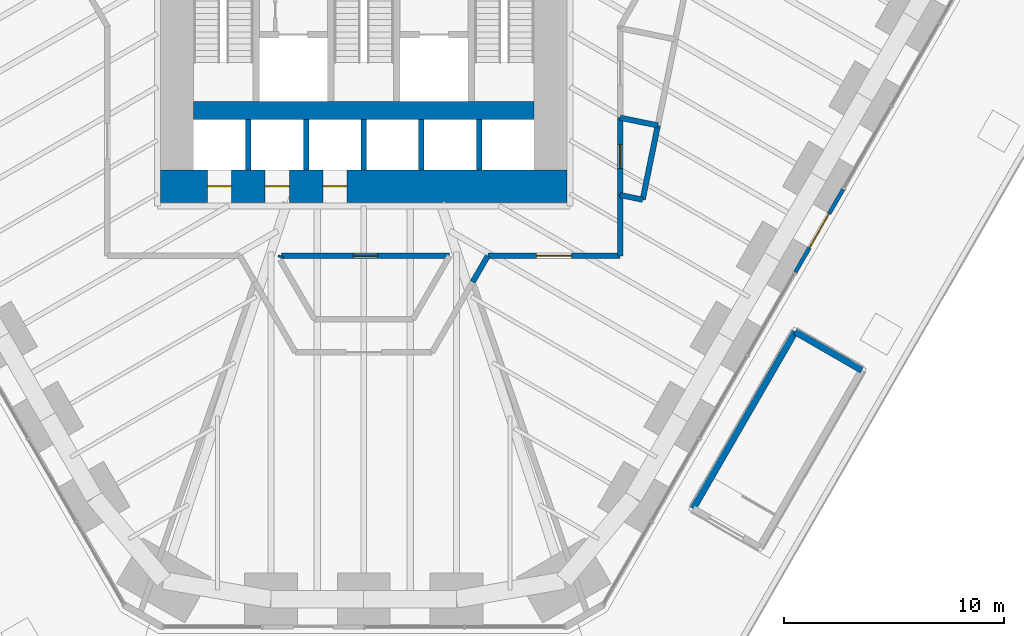
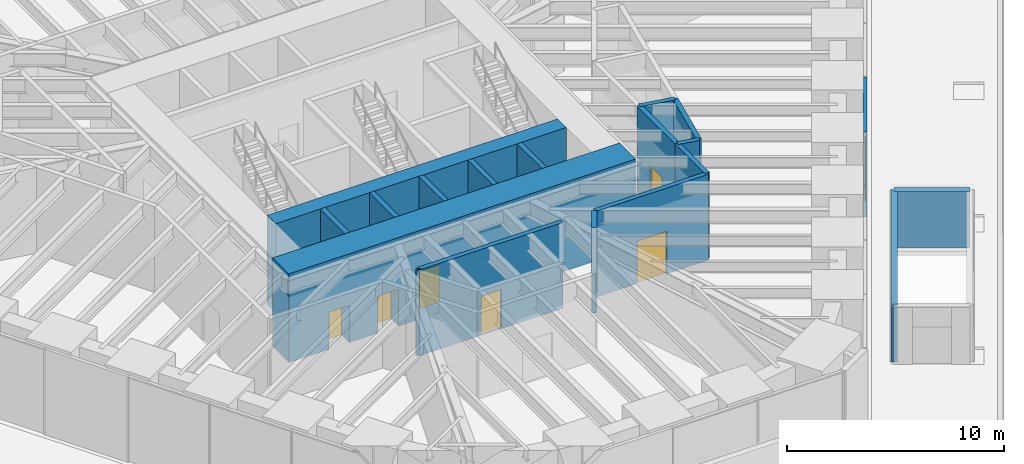
# One storey, part 11 of 20: 19 walls, 7 doors, 7 openings.
"""IFC4 building model written with IfcOpenShell, lengths in metres."""

from ifc_helpers import new_model, si_unit, direction, frame, frame_2d, origin, place, context, subcontext, project, spatial, rectangle, extrude, material, layer, layer_set, type_object, element, fill, save


model = new_model("IFC4")

# Units and contexts
model_context = context("Model", 3, precision=1e-05, world=origin(), true_north=direction((0.0, 1.0)))
body_context = subcontext(model_context, "Body", "Model", "MODEL_VIEW")
ifc_project = project(units=[si_unit("LENGTHUNIT", "METRE"), si_unit("AREAUNIT", "SQUARE_METRE"), si_unit("VOLUMEUNIT", "CUBIC_METRE"), si_unit("PLANEANGLEUNIT", "RADIAN"), si_unit("MASSUNIT", "GRAM", prefix="KILO")], contexts=[model_context])

# Site, building, storey
site_placement = place(None, origin())
site = spatial("IfcSite", under=ifc_project, at=site_placement, CompositionType="ELEMENT")
building_placement = place(site_placement, origin())
building = spatial("IfcBuilding", under=site, at=building_placement, Name="Sandreach Pilgrim Tower", CompositionType="ELEMENT")
storey_placement = place(building_placement, frame((0.0, 0.0, 18.0)))
storey = spatial("IfcBuildingStorey", under=building, at=storey_placement, Name="L03", CompositionType="ELEMENT", Elevation=18.0)

# Wall
ifc_material_1 = material(Name="Concrete 10000 psi", Category="concrete")
ifc_layer_1 = layer(ifc_material_1, 0.800048828125)
ifc_layer_set_1 = layer_set([ifc_layer_1], Name="Core mid wall 800")
wall_type_1 = type_object("IfcWallType", Name="Core mid wall 800", PredefinedType="SHEAR", material=ifc_layer_set_1)
wall_1_placement = place(storey_placement, frame((-7.75, -6.5, 0.0), z_axis=(0.0, 0.0, 1.0), x_axis=(1.0, 0.0, 0.0)))
element("IfcWall", 1, at=wall_1_placement, inside=storey, type_object=wall_type_1, Name="Core wall M L03", PredefinedType="SHEAR", context=body_context, shape_type="SweptSolid", body=[
    extrude(rectangle(XDim=15.5, YDim=0.800048828125, at=frame_2d((7.75, 0.0))), origin(), (0.0, 0.0, 1.0), 5.0),
])

# Wall, openings, doors
ifc_material_2 = material(Name="Concrete 10000 psi", Category="concrete")
ifc_layer_2 = layer(ifc_material_2, 1.5)
ifc_layer_set_2 = layer_set([ifc_layer_2], Name="Core wall 1500")
wall_type_2 = type_object("IfcWallType", Name="Core wall 1500", PredefinedType="SHEAR", material=ifc_layer_set_2)
wall_2_placement = place(storey_placement, frame((-9.25, -9.949951171875, 0.0), z_axis=(0.0, 0.0, 1.0), x_axis=(1.0, 0.0, 0.0)))
wall_2 = element("IfcWall", 2, at=wall_2_placement, inside=storey, type_object=wall_type_2, Name="Core wall S L03", PredefinedType="SHEAR", context=body_context, shape_type="SweptSolid", body=[
    extrude(rectangle(XDim=18.5, YDim=1.5, at=frame_2d((9.25, 0.0))), origin(), (0.0, 0.0, 1.0), 5.0),
])
opening_1_placement = place(wall_2_placement, frame((2.137451171875, 0.0, 0.0)))
opening_1 = element("IfcOpeningElement", 3, at=opening_1_placement, cuts=wall_2, Name="Opening LD11", PredefinedType="OPENING", context=body_context, shape_type="SweptSolid", body=[
    extrude(rectangle(XDim=1.10009765625, YDim=2.10009765625, at=frame_2d((0.550048828125, 1.050048828125))), frame((0.0, 0.75, 0.0), z_axis=(0.0, -1.0, 0.0), x_axis=(1.0, 0.0, 0.0)), (0.0, 0.0, 1.0), 1.5),
])
opening_2_placement = place(wall_2_placement, frame((4.762451171875, 0.0, 0.0)))
opening_2 = element("IfcOpeningElement", 4, at=opening_2_placement, cuts=wall_2, Name="Opening LD11", PredefinedType="OPENING", context=body_context, shape_type="SweptSolid", body=[
    extrude(rectangle(XDim=1.10009765625, YDim=2.10009765625, at=frame_2d((0.550048828125, 1.050048828125))), frame((0.0, 0.75, 0.0), z_axis=(0.0, -1.0, 0.0), x_axis=(1.0, 0.0, 0.0)), (0.0, 0.0, 1.0), 1.5),
])
opening_3_placement = place(wall_2_placement, frame((7.387451171875, 0.0, 0.0)))
opening_3 = element("IfcOpeningElement", 5, at=opening_3_placement, cuts=wall_2, Name="Opening LD11", PredefinedType="OPENING", context=body_context, shape_type="SweptSolid", body=[
    extrude(rectangle(XDim=1.10009765625, YDim=2.10009765625, at=frame_2d((0.550048828125, 1.050048828125))), frame((0.0, 0.75, 0.0), z_axis=(0.0, -1.0, 0.0), x_axis=(1.0, 0.0, 0.0)), (0.0, 0.0, 1.0), 1.5),
])
ifc_material_3 = material(Name="Steel door and frame", Category="steel")
door_type_1 = type_object("IfcDoorType", Name="Lift landing door", OperationType="DOUBLE_DOOR_SLIDING", PredefinedType="DOOR", material=ifc_material_3)
door_1_placement = place(opening_1_placement, origin())
door_1 = element("IfcDoor", 6, at=door_1_placement, inside=storey, type_object=door_type_1, Name="Lift landing door Z1A L03", OperationType="DOUBLE_DOOR_SLIDING", OverallHeight=2.10009765625, OverallWidth=1.10009765625, PredefinedType="DOOR", context=body_context, shape_type="SweptSolid", body=[
    extrude(rectangle(XDim=1.10009765625, YDim=2.10009765625, at=frame_2d((0.550048828125, 1.050048828125))), frame((0.0, 0.02490234375, 0.0), z_axis=(0.0, -1.0, 0.0), x_axis=(1.0, 0.0, 0.0)), (0.0, 0.0, 1.0), 0.050048828125),
])
fill(opening_1, door_1)
door_2_placement = place(opening_2_placement, origin())
door_2 = element("IfcDoor", 7, at=door_2_placement, inside=storey, type_object=door_type_1, Name="Lift landing door Z1B L03", OperationType="DOUBLE_DOOR_SLIDING", OverallHeight=2.10009765625, OverallWidth=1.10009765625, PredefinedType="DOOR", context=body_context, shape_type="SweptSolid", body=[
    extrude(rectangle(XDim=1.10009765625, YDim=2.10009765625, at=frame_2d((0.550048828125, 1.050048828125))), frame((0.0, 0.02490234375, 0.0), z_axis=(0.0, -1.0, 0.0), x_axis=(1.0, 0.0, 0.0)), (0.0, 0.0, 1.0), 0.050048828125),
])
fill(opening_2, door_2)
door_3_placement = place(opening_3_placement, origin())
door_3 = element("IfcDoor", 8, at=door_3_placement, inside=storey, type_object=door_type_1, Name="Lift landing door Z1C L03", OperationType="DOUBLE_DOOR_SLIDING", OverallHeight=2.10009765625, OverallWidth=1.10009765625, PredefinedType="DOOR", context=body_context, shape_type="SweptSolid", body=[
    extrude(rectangle(XDim=1.10009765625, YDim=2.10009765625, at=frame_2d((0.550048828125, 1.050048828125))), frame((0.0, 0.02490234375, 0.0), z_axis=(0.0, -1.0, 0.0), x_axis=(1.0, 0.0, 0.0)), (0.0, 0.0, 1.0), 0.050048828125),
])
fill(opening_3, door_3)

# Wall, opening, door
ifc_material_4 = material(Name="Glazed aluminium screen", Category="aluminium")
ifc_layer_3 = layer(ifc_material_4, 0.179931640625)
ifc_layer_set_3 = layer_set([ifc_layer_3], Name="Glazed entrance screen wall")
wall_type_3 = type_object("IfcWallType", Name="Glazed entrance screen wall", PredefinedType="SOLIDWALL", material=ifc_layer_set_3)
wall_3_placement = place(storey_placement, frame((21.8330078125, -10.081298828125, 0.0), z_axis=(0.0, 0.0, 1.0), x_axis=(-0.500001230415, -0.866024693403, 0.0)))
wall_3 = element("IfcWall", 9, at=wall_3_placement, inside=storey, type_object=wall_type_3, Name="Terrace screen wall L03 SE", PredefinedType="SOLIDWALL", context=body_context, shape_type="SweptSolid", body=[
    extrude(rectangle(XDim=4.37158203125, YDim=0.179931640625, at=frame_2d((2.185791015625, 0.0))), origin(), (0.0, 0.0, 1.0), 4.840087890625),
])
opening_4_placement = place(wall_3_placement, frame((1.285888671875, 0.0, 0.0)))
opening_4 = element("IfcOpeningElement", 10, at=opening_4_placement, cuts=wall_3, Name="Opening D18T-SE1", PredefinedType="OPENING", context=body_context, shape_type="SweptSolid", body=[
    extrude(rectangle(XDim=1.800048828125, YDim=2.39990234375, at=frame_2d((0.89990234375, 1.199951171875))), frame((0.0, 0.08984375, 0.0), z_axis=(0.0, -1.0, 0.0), x_axis=(1.0, 0.0, 0.0)), (0.0, 0.0, 1.0), 0.179931640625),
])
ifc_material_5 = material(Name="Aluminium and glass", Category="aluminium")
door_type_2 = type_object("IfcDoorType", Name="Terrace double door", OperationType="DOUBLE_DOOR_SINGLE_SWING", PredefinedType="DOOR", material=ifc_material_5)
door_4_placement = place(opening_4_placement, origin())
door_4 = element("IfcDoor", 11, at=door_4_placement, inside=storey, type_object=door_type_2, Name="Terrace door L03 SE1", OperationType="SINGLE_SWING_LEFT", OverallHeight=2.39990234375, OverallWidth=1.800048828125, PredefinedType="DOOR", context=body_context, shape_type="SweptSolid", body=[
    extrude(rectangle(XDim=1.800048828125, YDim=2.39990234375, at=frame_2d((0.89990234375, 1.199951171875))), frame((0.0, 0.02490234375, 0.0), z_axis=(0.0, -1.0, 0.0), x_axis=(1.0, 0.0, 0.0)), (0.0, 0.0, 1.0), 0.050048828125),
])
fill(opening_4, door_4)

# Wall
ifc_material_6 = material(Name="Acoustic gypsum board wall, double frame", Category="gypsum")
ifc_layer_4 = layer(ifc_material_6, 0.25)
ifc_layer_set_4 = layer_set([ifc_layer_4], Name="Hall partition 250")
wall_type_4 = type_object("IfcWallType", Name="Hall partition 250", PredefinedType="PARTITIONING", material=ifc_layer_set_4)
wall_4_placement = place(storey_placement, frame((-3.7783203125, -13.205078125, 0.0), z_axis=(0.0, 0.0, 1.0), x_axis=(0.316227766017, 0.948683298051, 0.0)))
element("IfcWall", 12, at=wall_4_placement, inside=storey, type_object=wall_type_4, Name="Hall partition L03-015", PredefinedType="PARTITIONING", context=body_context, shape_type="SweptSolid", body=[
    extrude(rectangle(XDim=0.089599609375, YDim=0.25, at=frame_2d((0.044921875, 0.0))), origin(), (0.0, 0.0, 1.0), 4.840087890625),
])

# Wall, opening, door
wall_5_placement = place(storey_placement, frame((-3.75, -13.1201171875, 0.0), z_axis=(0.0, 0.0, 1.0), x_axis=(1.0, 0.0, 0.0)))
wall_5 = element("IfcWall", 13, at=wall_5_placement, inside=storey, type_object=wall_type_4, Name="Hall partition L03-016", PredefinedType="PARTITIONING", context=body_context, shape_type="SweptSolid", body=[
    extrude(rectangle(XDim=7.659912109375, YDim=0.25, at=frame_2d((3.830078125, 0.0))), origin(), (0.0, 0.0, 1.0), 4.840087890625),
])
opening_5_placement = place(wall_5_placement, frame((3.280029296875, 0.0, 0.0)))
opening_5 = element("IfcOpeningElement", 14, at=opening_5_placement, cuts=wall_5, Name="Opening D11H-B3", PredefinedType="OPENING", context=body_context, shape_type="SweptSolid", body=[
    extrude(rectangle(XDim=1.10009765625, YDim=2.199951171875, at=frame_2d((0.550048828125, 1.10009765625))), frame((0.0, 0.125, 0.0), z_axis=(0.0, -1.0, 0.0), x_axis=(1.0, 0.0, 0.0)), (0.0, 0.0, 1.0), 0.25),
])
ifc_material_7 = material(Name="Steel door and frame", Category="steel")
door_type_3 = type_object("IfcDoorType", Name="Back of house door", OperationType="SINGLE_SWING_LEFT", PredefinedType="DOOR", material=ifc_material_7)
door_5_placement = place(opening_5_placement, origin())
door_5 = element("IfcDoor", 15, at=door_5_placement, inside=storey, type_object=door_type_3, Name="Door 03B3", OperationType="SINGLE_SWING_LEFT", OverallHeight=2.199951171875, OverallWidth=1.10009765625, PredefinedType="DOOR", context=body_context, shape_type="SweptSolid", body=[
    extrude(rectangle(XDim=1.10009765625, YDim=2.199951171875, at=frame_2d((0.550048828125, 1.10009765625))), frame((0.0, 0.02490234375, 0.0), z_axis=(0.0, -1.0, 0.0), x_axis=(1.0, 0.0, 0.0)), (0.0, 0.0, 1.0), 0.050048828125),
])
fill(opening_5, door_5)

# Wall
wall_6_placement = place(storey_placement, frame((4.9599609375, -14.31005859375, 0.0), z_axis=(0.0, 0.0, 1.0), x_axis=(0.501518885372, 0.865146697165, 0.0)))
element("IfcWall", 16, at=wall_6_placement, inside=storey, type_object=wall_type_4, Name="Hall partition L03-023", PredefinedType="PARTITIONING", context=body_context, shape_type="SweptSolid", body=[
    extrude(rectangle(XDim=1.375732421875, YDim=0.25, at=frame_2d((0.68798828125, 0.0))), origin(), (0.0, 0.0, 1.0), 4.840087890625),
])

# Wall, opening, door
wall_7_placement = place(storey_placement, frame((5.64990234375, -13.1201171875, 0.0), z_axis=(0.0, 0.0, 1.0), x_axis=(1.0, 0.0, 0.0)))
wall_7 = element("IfcWall", 17, at=wall_7_placement, inside=storey, type_object=wall_type_4, Name="Hall partition L03-024", PredefinedType="PARTITIONING", context=body_context, shape_type="SweptSolid", body=[
    extrude(rectangle(XDim=6.02001953125, YDim=0.25, at=frame_2d((3.010009765625, 0.0))), origin(), (0.0, 0.0, 1.0), 4.840087890625),
])
opening_6_placement = place(wall_7_placement, frame((2.2099609375, 0.0, 0.0)))
opening_6 = element("IfcOpeningElement", 18, at=opening_6_placement, cuts=wall_7, Name="Opening D16-03", PredefinedType="OPENING", context=body_context, shape_type="SweptSolid", body=[
    extrude(rectangle(XDim=1.60009765625, YDim=2.39990234375, at=frame_2d((0.800048828125, 1.199951171875))), frame((0.0, 0.125, 0.0), z_axis=(0.0, -1.0, 0.0), x_axis=(1.0, 0.0, 0.0)), (0.0, 0.0, 1.0), 0.25),
])
ifc_material_8 = material(Name="Steel door and frame", Category="steel")
door_type_4 = type_object("IfcDoorType", Name="Hall double door", OperationType="DOUBLE_DOOR_SINGLE_SWING", PredefinedType="DOOR", material=ifc_material_8)
door_6_placement = place(opening_6_placement, origin())
door_6 = element("IfcDoor", 19, at=door_6_placement, inside=storey, type_object=door_type_4, Name="Door 0303", OperationType="DOUBLE_DOOR_SINGLE_SWING", OverallHeight=2.39990234375, OverallWidth=1.60009765625, PredefinedType="DOOR", context=body_context, shape_type="SweptSolid", body=[
    extrude(rectangle(XDim=1.60009765625, YDim=2.39990234375, at=frame_2d((0.800048828125, 1.199951171875))), frame((0.0, 0.02490234375, 0.0), z_axis=(0.0, -1.0, 0.0), x_axis=(1.0, 0.0, 0.0)), (0.0, 0.0, 1.0), 0.050048828125),
])
fill(opening_6, door_6)

# Wall
wall_8_placement = place(storey_placement, frame((11.669921875, -13.1201171875, 0.0), z_axis=(0.0, 0.0, 1.0), x_axis=(0.0, 1.0, 0.0)))
element("IfcWall", 20, at=wall_8_placement, inside=storey, type_object=wall_type_4, Name="Hall partition L03-027", PredefinedType="PARTITIONING", context=body_context, shape_type="SweptSolid", body=[
    extrude(rectangle(XDim=2.77001953125, YDim=0.25, at=frame_2d((1.385009765625, 0.0))), origin(), (0.0, 0.0, 1.0), 4.840087890625),
])

# Wall, opening, door
wall_9_placement = place(storey_placement, frame((11.669921875, -10.35009765625, 0.0), z_axis=(0.0, 0.0, 1.0), x_axis=(0.0, 1.0, 0.0)))
wall_9 = element("IfcWall", 21, at=wall_9_placement, inside=storey, type_object=wall_type_4, Name="Hall partition L03-028", PredefinedType="PARTITIONING", context=body_context, shape_type="SweptSolid", body=[
    extrude(rectangle(XDim=3.52001953125, YDim=0.25, at=frame_2d((1.760009765625, 0.0))), origin(), (0.0, 0.0, 1.0), 4.840087890625),
])
opening_7_placement = place(wall_9_placement, frame((1.2099609375, 0.0, 0.0)))
opening_7 = element("IfcOpeningElement", 22, at=opening_7_placement, cuts=wall_9, Name="Opening D11H-T1", PredefinedType="OPENING", context=body_context, shape_type="SweptSolid", body=[
    extrude(rectangle(XDim=1.10009765625, YDim=2.199951171875, at=frame_2d((0.550048828125, 1.10009765625))), frame((0.0, 0.125, 0.0), z_axis=(0.0, -1.0, 0.0), x_axis=(1.0, 0.0, 0.0)), (0.0, 0.0, 1.0), 0.25),
])
door_7_placement = place(opening_7_placement, origin())
door_7 = element("IfcDoor", 23, at=door_7_placement, inside=storey, type_object=door_type_3, Name="Door 03T1", OperationType="SINGLE_SWING_LEFT", OverallHeight=2.199951171875, OverallWidth=1.10009765625, PredefinedType="DOOR", context=body_context, shape_type="SweptSolid", body=[
    extrude(rectangle(XDim=1.10009765625, YDim=2.199951171875, at=frame_2d((0.550048828125, 1.10009765625))), frame((0.0, 0.02490234375, 0.0), z_axis=(0.0, -1.0, 0.0), x_axis=(1.0, 0.0, 0.0)), (0.0, 0.0, 1.0), 0.050048828125),
])
fill(opening_7, door_7)

# Walls
wall_10_placement = place(storey_placement, frame((11.669921875, -10.35009765625, 0.0), z_axis=(0.0, 0.0, 1.0), x_axis=(0.979850463212, -0.199732495464, 0.0)))
element("IfcWall", 24, at=wall_10_placement, inside=storey, type_object=wall_type_4, Name="Hall partition L03-029", PredefinedType="PARTITIONING", context=body_context, shape_type="SweptSolid", body=[
    extrude(rectangle(XDim=1.05126953125, YDim=0.25, at=frame_2d((0.525634765625, 0.0))), origin(), (0.0, 0.0, 1.0), 4.840087890625),
])
wall_11_placement = place(storey_placement, frame((11.669921875, -6.830078125, 0.0), z_axis=(0.0, 0.0, 1.0), x_axis=(0.979933438949, -0.199324999008, 0.0)))
element("IfcWall", 25, at=wall_11_placement, inside=storey, type_object=wall_type_4, Name="Hall partition L03-031", PredefinedType="PARTITIONING", context=body_context, shape_type="SweptSolid", body=[
    extrude(rectangle(XDim=1.755126953125, YDim=0.25, at=frame_2d((0.87744140625, 0.0))), origin(), (0.0, 0.0, 1.0), 4.840087890625),
])
wall_12_placement = place(storey_placement, frame((12.699951171875, -10.56005859375, 0.0), z_axis=(0.0, 0.0, 1.0), x_axis=(0.199993288323, 0.979797267105, 0.0)))
element("IfcWall", 26, at=wall_12_placement, inside=storey, type_object=wall_type_4, Name="Hall partition L03-036", PredefinedType="PARTITIONING", context=body_context, shape_type="SweptSolid", body=[
    extrude(rectangle(XDim=3.44970703125, YDim=0.25, at=frame_2d((1.724853515625, 0.0))), origin(), (0.0, 0.0, 1.0), 4.840087890625),
])
ifc_material_9 = material(Name="Gypsum shaft wall on steel studs, two layers of shaft liner board", Category="steel")
ifc_layer_5 = layer(ifc_material_9, 0.25)
ifc_layer_set_5 = layer_set([ifc_layer_5], Name="Shaft partition 250")
wall_type_5 = type_object("IfcWallType", Name="Shaft partition 250", PredefinedType="PARTITIONING", material=ifc_layer_set_5)
for number, where, z_axis, x_axis, name in (
    (27, (-5.25, -9.199951171875, 0.0), (0.0, 0.0, 1.0), (0.0, 1.0, 0.0), "Shaft partition XS0 L03"),
    (28, (-2.625, -9.199951171875, 0.0), (0.0, 0.0, 1.0), (0.0, 1.0, 0.0), "Shaft partition XS1 L03"),
    (29, (0.0, -9.199951171875, 0.0), (0.0, 0.0, 1.0), (0.0, 1.0, 0.0), "Shaft partition XS2 L03"),
    (30, (2.625, -9.199951171875, 0.0), (0.0, 0.0, 1.0), (0.0, 1.0, 0.0), "Shaft partition XS3 L03"),
    (31, (5.25, -9.199951171875, 0.0), (0.0, 0.0, 1.0), (0.0, 1.0, 0.0), "Shaft partition XS4 L03"),
):
    element("IfcWall", number, at=place(storey_placement, frame(where, z_axis=z_axis, x_axis=x_axis)), inside=storey, type_object=wall_type_5, Name=name, PredefinedType="PARTITIONING", context=body_context, shape_type="SweptSolid", body=[
        extrude(rectangle(XDim=2.300048828125, YDim=0.25, at=frame_2d((1.14990234375, 0.0))), origin(), (0.0, 0.0, 1.0), 5.0),
    ])
ifc_material_10 = material(Name="Concrete 8000 psi", Category="concrete")
ifc_layer_6 = layer(ifc_material_10, 0.300048828125)
ifc_layer_set_6 = layer_set([ifc_layer_6], Name="Stair head-house wall 300")
wall_type_6 = type_object("IfcWallType", Name="Stair head-house wall 300", PredefinedType="SHEAR", material=ifc_layer_set_6)
wall_13_placement = place(storey_placement, frame((14.994384765625, -24.626220703125, 0.0), z_axis=(0.0, 0.0, 1.0), x_axis=(0.500015592816, 0.866016401081, 0.0)))
element("IfcWall", 32, at=wall_13_placement, inside=storey, type_object=wall_type_6, Name="Stair ST8 head-house wall 1", PredefinedType="SHEAR", context=body_context, shape_type="SweptSolid", body=[
    extrude(rectangle(XDim=9.300048828125, YDim=0.300048828125, at=frame_2d((4.64990234375, 0.0))), origin(), (0.0, 0.0, 1.0), 3.199951171875),
])
wall_14_placement = place(storey_placement, frame((19.64453125, -16.572265625, 0.0), z_axis=(0.0, 0.0, 1.0), x_axis=(0.866019471182, -0.500010275428, 0.0)))
element("IfcWall", 33, at=wall_14_placement, inside=storey, type_object=wall_type_6, Name="Stair ST8 head-house wall 2", PredefinedType="SHEAR", context=body_context, shape_type="SweptSolid", body=[
    extrude(rectangle(XDim=3.5, YDim=0.300048828125, at=frame_2d((1.75, 0.0))), origin(), (0.0, 0.0, 1.0), 3.199951171875),
])

save(model, "model.ifc")
